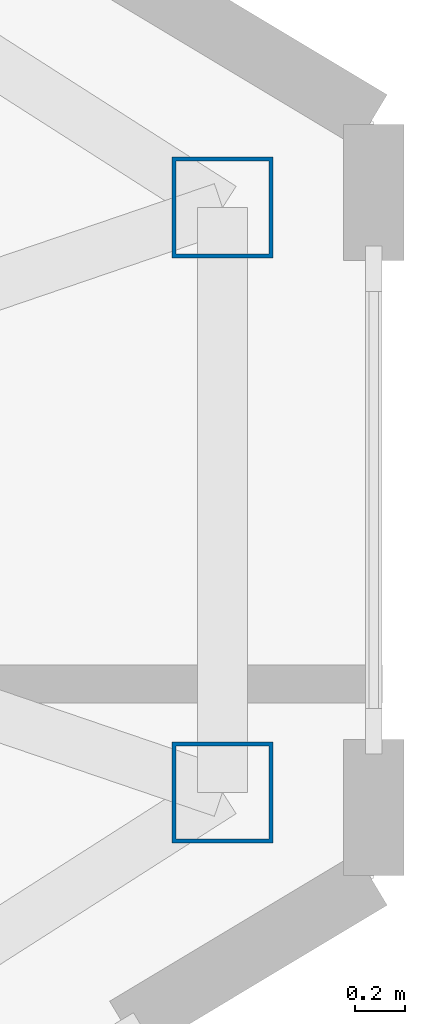
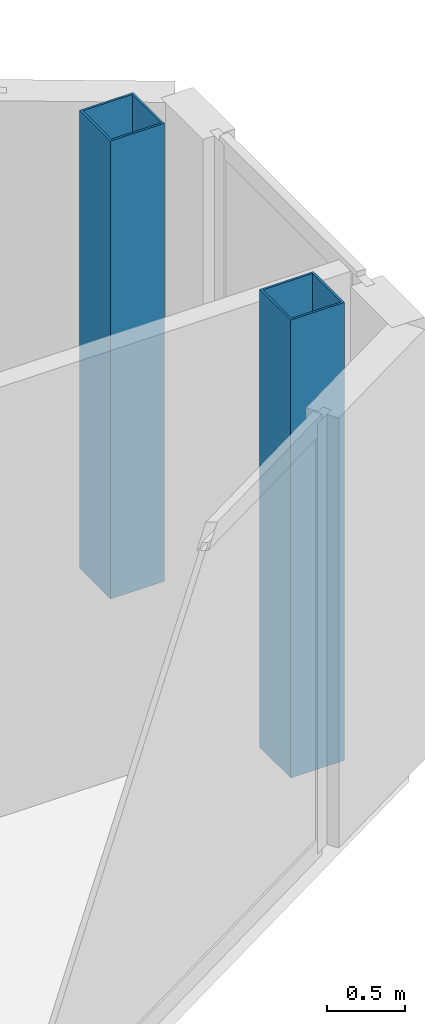
# One storey, part 4 of 25: 2 columns.
"""IFC4 building model written with IfcOpenShell, lengths in metres."""

from ifc_helpers import new_model, si_unit, direction, frame, origin, origin_2d, place, context, subcontext, project, spatial, hollow_rectangle, extrude, source, transform, mapped, material, material_profile, profile_set, type_object, type_shapes, element, save


model = new_model("IFC4")

# Units and contexts
model_context = context("Model", 3, precision=1e-05, world=origin(), true_north=direction((0.0, 1.0)))
body_context = subcontext(model_context, "Body", "Model", "MODEL_VIEW")
ifc_project = project(units=[si_unit("LENGTHUNIT", "METRE"), si_unit("AREAUNIT", "SQUARE_METRE"), si_unit("VOLUMEUNIT", "CUBIC_METRE"), si_unit("PLANEANGLEUNIT", "RADIAN"), si_unit("MASSUNIT", "GRAM", prefix="KILO")], contexts=[model_context])

# Site, building, storey
site_placement = place(None, origin())
site = spatial("IfcSite", under=ifc_project, at=site_placement, CompositionType="ELEMENT")
building_placement = place(site_placement, origin())
building = spatial("IfcBuilding", under=site, at=building_placement, Name="Seokmaru Belvedere", CompositionType="ELEMENT")
storey_placement = place(building_placement, frame((0.0, 0.0, 210.300048828125)))
storey = spatial("IfcBuildingStorey", under=building, at=storey_placement, Name="L56", CompositionType="ELEMENT", Elevation=210.300048828125)

# Columns
ifc_material = material(Name="Steel SM355 (355 MPa)", Category="steel")
ifc_material_profile = material_profile(ifc_material, hollow_rectangle(XDim=0.39990234375, YDim=0.39990234375, WallThickness=0.01611328125, at=origin_2d()), Name="HSS-400x400x16")
ifc_profile_set = profile_set([ifc_material_profile], Name="Steel SM355 (355 MPa)")
column_type = type_object("IfcColumnType", Name="Perimeter Facet Column HSS-400", PredefinedType="COLUMN", material=ifc_profile_set)
shared_shape = source(origin(), body_context, "Body", "SweptSolid", [
    extrude(hollow_rectangle(XDim=0.39990234375, YDim=0.39990234375, WallThickness=0.01611328125, at=origin_2d()), origin(), (0.0, 0.0, 1.0), 3.599853515625),
])
type_shapes(column_type, [shared_shape])
for number, where, z_axis, x_axis, name in (
    (1, (66.89990234375, -1.160400390625, 0.0), (0.0, 0.0, 1.0), (1.0, 0.0, 0.0), "L56 Column EF2"),
    (2, (66.89990234375, 1.160400390625, 0.0), (0.0, 0.0, 1.0), (1.0, 0.0, 0.0), "L56 Column EF3"),
):
    element("IfcColumn", number, at=place(storey_placement, frame(where, z_axis=z_axis, x_axis=x_axis)), inside=storey, type_object=column_type, Name=name, PredefinedType="COLUMN", context=body_context, shape_type="MappedRepresentation", body=[
        mapped(shared_shape, transform((0.0, 0.0, 0.0), scale=1.0)),
    ])

save(model, "model.ifc")
